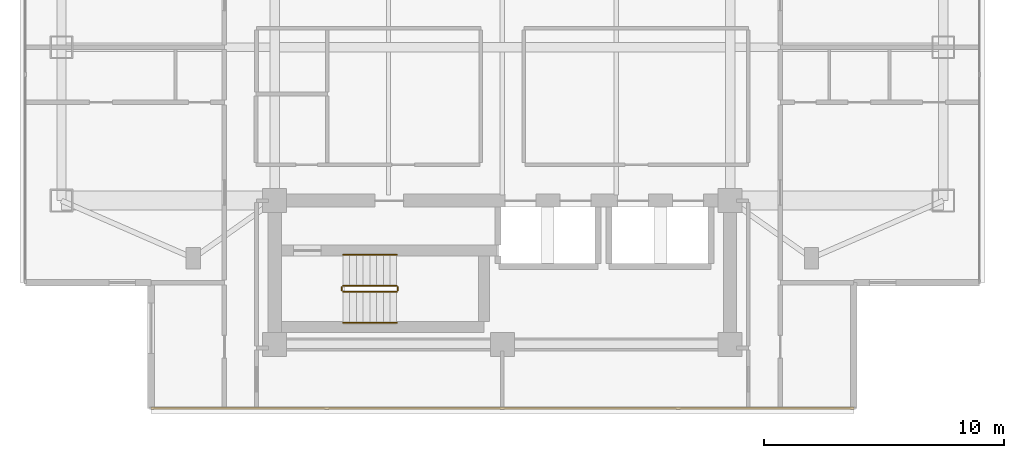
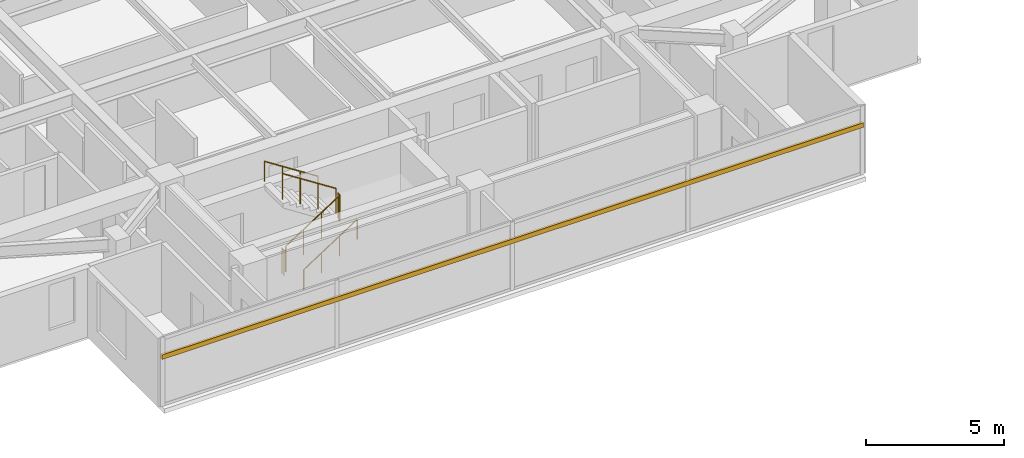
# One storey, part 19 of 24: 6 railings, 1 shading device.
"""IFC4 building model written with IfcOpenShell, lengths in metres."""

from ifc_helpers import new_model, si_unit, direction, frame, origin, origin_2d, place, context, subcontext, project, spatial, rectangle, circle, extrude, material, material_profile, profile_set, type_object, element, save


model = new_model("IFC4")

# Units and contexts
model_context = context("Model", 3, precision=1e-05, world=origin(), true_north=direction((0.0, 1.0)))
body_context = subcontext(model_context, "Body", "Model", "MODEL_VIEW")
ifc_project = project(units=[si_unit("LENGTHUNIT", "METRE"), si_unit("AREAUNIT", "SQUARE_METRE"), si_unit("VOLUMEUNIT", "CUBIC_METRE"), si_unit("PLANEANGLEUNIT", "RADIAN"), si_unit("MASSUNIT", "GRAM", prefix="KILO")], contexts=[model_context])

# Site, building, storey
site_placement = place(None, origin())
site = spatial("IfcSite", under=ifc_project, at=site_placement, CompositionType="ELEMENT")
building_placement = place(site_placement, origin())
building = spatial("IfcBuilding", under=site, at=building_placement, Name="Mirazonda Arch Towers", CompositionType="ELEMENT")
storey_placement = place(building_placement, frame((0.0, 0.0, 157.64990234375)))
storey = spatial("IfcBuildingStorey", under=building, at=storey_placement, Name="L44", CompositionType="ELEMENT", Elevation=157.64990234375)

# Shading device
ifc_material_1 = material(Name="Kiln-Fired Architectural Terracotta", Category="masonry")
ifc_material_profile = material_profile(ifc_material_1, rectangle(XDim=0.10009765625, YDim=0.199951171875, at=origin_2d()), Name="TERRA-BAG-100x200")
ifc_profile_set = profile_set([ifc_material_profile], Name="Kiln-Fired Architectural Terracotta")
shading_device_type = type_object("IfcShadingDeviceType", Name="BAGUETTE-2", PredefinedType="USERDEFINED", material=ifc_profile_set)
shading_device_placement = place(storey_placement, frame((35.1650390625, 9.73193359375, 2.181640625), z_axis=(-1.0, 0.0, 0.0), x_axis=(0.0, -1.0, 0.0)))
element("IfcShadingDevice", 1, at=shading_device_placement, inside=storey, type_object=shading_device_type, Name="L44 Glazed Terracotta Sun-Screen Baguette CW-L44-T1-S", ObjectType="BAGUETTE", PredefinedType="USERDEFINED", context=body_context, shape_type="SweptSolid", body=[
    extrude(rectangle(XDim=0.10009765625, YDim=0.199951171875, at=origin_2d()), origin(), (0.0, 0.0, 1.0), 29.330078125),
])

# Railings
ifc_material_2 = material(Name="Architectural Brushed Steel S355", Category="steel")
railing_type_1 = type_object("IfcRailingType", Name="GUARD-STAIR-1120", PredefinedType="GUARDRAIL", material=ifc_material_2)
railing_1_placement = place(storey_placement, frame((13.85009765625, 14.60009765625, 0.1806640625)))
element("IfcRailing", 2, at=railing_1_placement, inside=storey, type_object=railing_type_1, Name="L44 ST-T1S stair guard 1", PredefinedType="GUARDRAIL", context=body_context, shape_type="SweptSolid", body=[
    extrude(circle(Radius=0.02392578125, at=origin_2d()), frame((0.0, 0.0, 1.1259765625), z_axis=(0.840436612492, 0.0, 0.541909863706), x_axis=(0.0, 1.0, 0.0)), (0.0, 0.0, 1.0), 2.665283203125),
    extrude(circle(Radius=0.02099609375, at=origin_2d()), origin(), (0.0, 0.0, 1.0), 1.101806640625),
    extrude(circle(Radius=0.02099609375, at=origin_2d()), frame((0.74658203125, 0.0, 0.4814453125)), (0.0, 0.0, 1.0), 1.101806640625),
    extrude(circle(Radius=0.02099609375, at=origin_2d()), frame((1.493408203125, 0.0, 0.962890625)), (0.0, 0.0, 1.0), 1.101806640625),
    extrude(circle(Radius=0.02099609375, at=origin_2d()), frame((2.239990234375, 0.0, 1.4443359375)), (0.0, 0.0, 1.0), 1.101806640625),
])
railing_2_placement = place(storey_placement, frame((16.139892578125, 14.64990234375, 1.625)))
element("IfcRailing", 3, at=railing_2_placement, inside=storey, type_object=railing_type_1, Name="L44 ST-T1S stair guard 2", PredefinedType="GUARDRAIL", context=body_context, shape_type="SweptSolid", body=[
    extrude(circle(Radius=0.02392578125, at=origin_2d()), frame((0.0, 0.0, 1.1259765625), z_axis=(0.0, 1.0, 0.0), x_axis=(-1.0, 0.0, 0.0)), (0.0, 0.0, 1.0), 0.14013671875),
    extrude(circle(Radius=0.02099609375, at=origin_2d()), origin(), (0.0, 0.0, 1.0), 1.101806640625),
    extrude(circle(Radius=0.02099609375, at=origin_2d()), frame((0.0, 0.14013671875, 0.0)), (0.0, 0.0, 1.0), 1.101806640625),
])
railing_3_placement = place(storey_placement, frame((16.090087890625, 14.840087890625, 1.8056640625)))
element("IfcRailing", 4, at=railing_3_placement, inside=storey, type_object=railing_type_1, Name="L44 ST-T1S stair guard 3", PredefinedType="GUARDRAIL", context=body_context, shape_type="SweptSolid", body=[
    extrude(circle(Radius=0.02392578125, at=origin_2d()), frame((0.0, 0.0, 1.1259765625), z_axis=(-0.840436612492, 0.0, 0.541909863706), x_axis=(0.0, -1.0, 0.0)), (0.0, 0.0, 1.0), 2.665283203125),
    extrude(circle(Radius=0.02099609375, at=origin_2d()), origin(), (0.0, 0.0, 1.0), 1.101806640625),
    extrude(circle(Radius=0.02099609375, at=origin_2d()), frame((-0.74658203125, 0.0, 0.4814453125)), (0.0, 0.0, 1.0), 1.101806640625),
    extrude(circle(Radius=0.02099609375, at=origin_2d()), frame((-1.493408203125, 0.0, 0.962890625)), (0.0, 0.0, 1.0), 1.101806640625),
    extrude(circle(Radius=0.02099609375, at=origin_2d()), frame((-2.239990234375, 0.0, 1.4443359375)), (0.0, 0.0, 1.0), 1.101806640625),
])
railing_4_placement = place(storey_placement, frame((13.800048828125, 14.64990234375, 0.0)))
element("IfcRailing", 5, at=railing_4_placement, inside=storey, type_object=railing_type_1, Name="L44 ST-T1S stair guard 4", PredefinedType="GUARDRAIL", context=body_context, shape_type="SweptSolid", body=[
    extrude(circle(Radius=0.02392578125, at=origin_2d()), frame((0.0, 0.0, 1.1259765625), z_axis=(0.0, 1.0, 0.0), x_axis=(-1.0, 0.0, 0.0)), (0.0, 0.0, 1.0), 0.14013671875),
    extrude(circle(Radius=0.02099609375, at=origin_2d()), origin(), (0.0, 0.0, 1.0), 1.101806640625),
    extrude(circle(Radius=0.02099609375, at=origin_2d()), frame((0.0, 0.14013671875, 0.0)), (0.0, 0.0, 1.0), 1.101806640625),
])
railing_type_2 = type_object("IfcRailingType", Name="HANDRAIL-915", PredefinedType="HANDRAIL", material=ifc_material_2)
railing_5_placement = place(storey_placement, frame((13.85009765625, 13.300048828125, 0.1806640625)))
element("IfcRailing", 6, at=railing_5_placement, inside=storey, type_object=railing_type_2, Name="L44 ST-T1S stair handrail 1", PredefinedType="HANDRAIL", context=body_context, shape_type="SweptSolid", body=[
    extrude(circle(Radius=0.02392578125, at=origin_2d()), frame((0.0, 0.0, 0.8759765625), z_axis=(0.840436612492, 0.0, 0.541909863706), x_axis=(0.0, 1.0, 0.0)), (0.0, 0.0, 1.0), 2.665283203125),
    extrude(circle(Radius=0.02099609375, at=origin_2d()), origin(), (0.0, 0.0, 1.0), 0.851806640625),
    extrude(circle(Radius=0.02099609375, at=origin_2d()), frame((0.74658203125, 0.0, 0.4814453125)), (0.0, 0.0, 1.0), 0.851806640625),
    extrude(circle(Radius=0.02099609375, at=origin_2d()), frame((1.493408203125, 0.0, 0.962890625)), (0.0, 0.0, 1.0), 0.851806640625),
    extrude(circle(Radius=0.02099609375, at=origin_2d()), frame((2.239990234375, 0.0, 1.4443359375)), (0.0, 0.0, 1.0), 0.851806640625),
])
railing_6_placement = place(storey_placement, frame((16.090087890625, 16.139892578125, 1.8056640625)))
element("IfcRailing", 7, at=railing_6_placement, inside=storey, type_object=railing_type_2, Name="L44 ST-T1S stair handrail 2", PredefinedType="HANDRAIL", context=body_context, shape_type="SweptSolid", body=[
    extrude(circle(Radius=0.02392578125, at=origin_2d()), frame((0.0, 0.0, 0.8759765625), z_axis=(-0.840436612492, 0.0, 0.541909863706), x_axis=(0.0, -1.0, 0.0)), (0.0, 0.0, 1.0), 2.665283203125),
    extrude(circle(Radius=0.02099609375, at=origin_2d()), origin(), (0.0, 0.0, 1.0), 0.851806640625),
    extrude(circle(Radius=0.02099609375, at=origin_2d()), frame((-0.74658203125, 0.0, 0.4814453125)), (0.0, 0.0, 1.0), 0.851806640625),
    extrude(circle(Radius=0.02099609375, at=origin_2d()), frame((-1.493408203125, 0.0, 0.962890625)), (0.0, 0.0, 1.0), 0.851806640625),
    extrude(circle(Radius=0.02099609375, at=origin_2d()), frame((-2.239990234375, 0.0, 1.4443359375)), (0.0, 0.0, 1.0), 0.851806640625),
])

save(model, "model.ifc")
